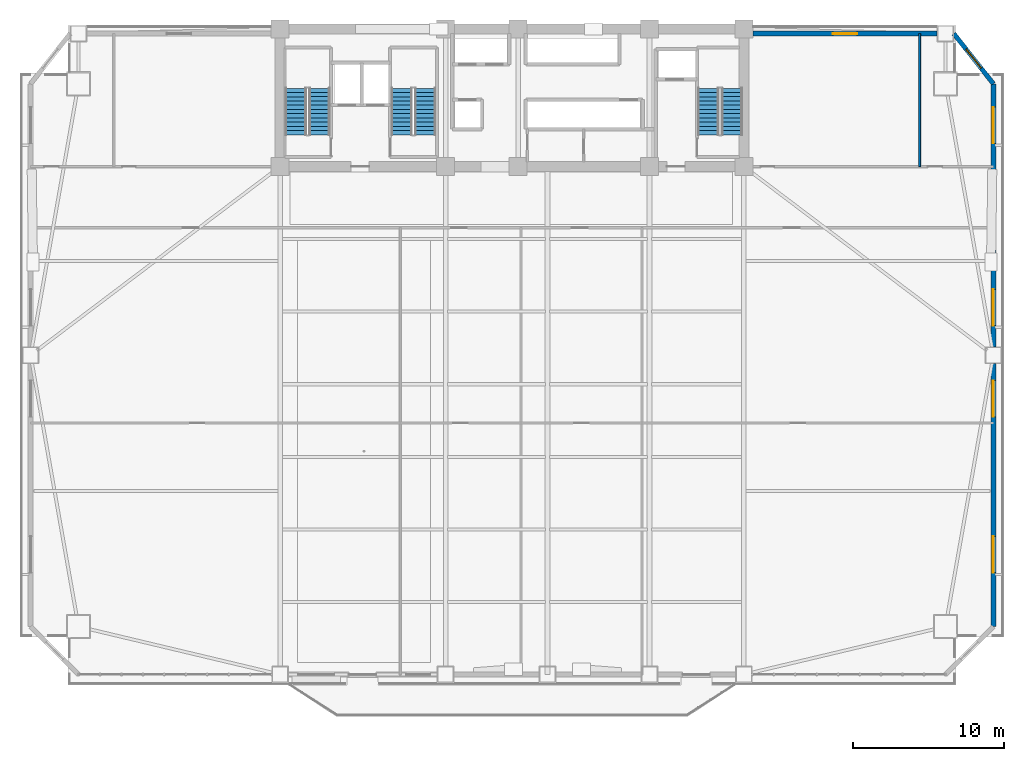
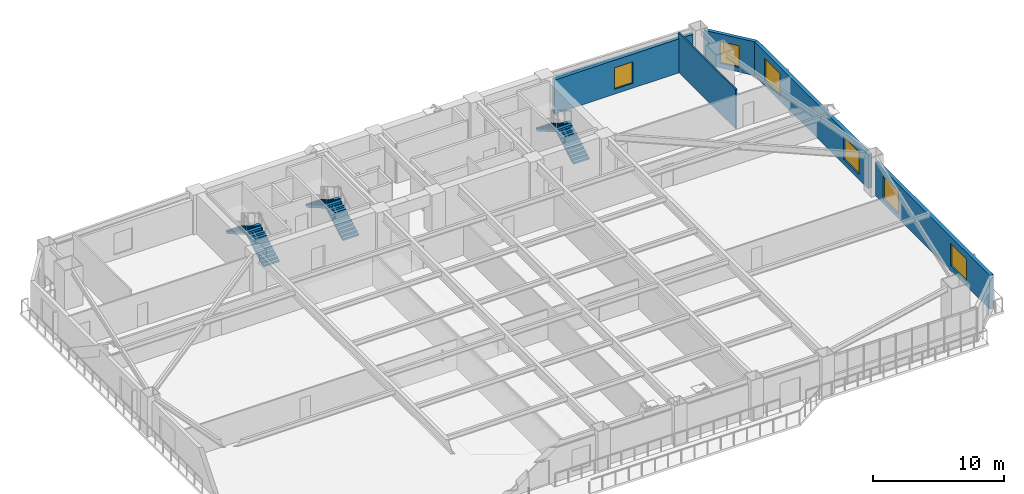
# One storey, part 11 of 17: 6 stair flights, 6 windows, 5 walls, 6 openings, 3 elements without a shape of their own.
"""IFC4 building model written with IfcOpenShell, lengths in metres."""

from ifc_helpers import new_model, si_unit, direction, frame, frame_2d, origin, place, context, subcontext, project, spatial, polyline, rectangle, outline, extrude, source, transform, mapped, material, layer, layer_set, type_object, element, fill, aggregate, save


model = new_model("IFC4")

# Units and contexts
model_context = context("Model", 3, precision=1e-05, world=origin(), true_north=direction((0.0, 1.0)))
body_context = subcontext(model_context, "Body", "Model", "MODEL_VIEW")
ifc_project = project(units=[si_unit("LENGTHUNIT", "METRE"), si_unit("AREAUNIT", "SQUARE_METRE"), si_unit("VOLUMEUNIT", "CUBIC_METRE"), si_unit("PLANEANGLEUNIT", "RADIAN"), si_unit("MASSUNIT", "GRAM", prefix="KILO")], contexts=[model_context])

# Site, building, storey
site_placement = place(None, origin())
site = spatial("IfcSite", under=ifc_project, at=site_placement, CompositionType="ELEMENT")
building_placement = place(site_placement, origin())
building = spatial("IfcBuilding", under=site, at=building_placement, Name="Giltprow Tower", CompositionType="ELEMENT")
storey_placement = place(building_placement, frame((0.0, 0.0, 41.0)))
storey = spatial("IfcBuildingStorey", under=building, at=storey_placement, Name="L10", CompositionType="ELEMENT", Elevation=41.0)

# Wall, opening, window
ifc_material_1 = material(Name="Precast concrete C40", Category="concrete")
ifc_layer_1 = layer(ifc_material_1, 0.300048828125, Name="Precast concrete C40")
ifc_layer_set_1 = layer_set([ifc_layer_1], Name="Precast concrete C40")
wall_type_1 = type_object("IfcWallType", Name="EW-NOTCH-CHAMFER-300", PredefinedType="SOLIDWALL", material=ifc_layer_set_1)
wall_1_placement = place(storey_placement, frame((67.06494140625, 42.926025390625, 0.0), z_axis=(0.0, 0.0, 1.0), x_axis=(-0.619619988795, 0.784901948963, 0.0)))
wall_1 = element("IfcWall", 1, at=wall_1_placement, inside=storey, type_object=wall_type_1, Name="L10 Corner Notch Wall NE", PredefinedType="SOLIDWALL", context=body_context, shape_type="SweptSolid", body=[
    extrude(rectangle(XDim=4.23486328125, YDim=0.300048828125, at=frame_2d((2.117431640625, 0.0))), origin(), (0.0, 0.0, 1.0), 3.159912109375),
])
opening_1_placement = place(wall_1_placement, frame((1.31689453125, 0.0, 0.449951171875)))
opening_1 = element("IfcOpeningElement", 2, at=opening_1_placement, cuts=wall_1, Name="Opening WN17", PredefinedType="OPENING", context=body_context, shape_type="SweptSolid", body=[
    extrude(rectangle(XDim=1.60009765625, YDim=2.0, at=frame_2d((0.800048828125, 1.0))), frame((0.0, 0.159912109375, 0.0), z_axis=(0.0, -1.0, 0.0), x_axis=(1.0, 0.0, 0.0)), (0.0, 0.0, 1.0), 0.320068359375),
])
ifc_material_2 = material(Name="Insulated glass", Category="glass")
window_type_1 = type_object("IfcWindowType", Name="WN-COR-1600x2000", PartitioningType="SINGLE_PANEL", PredefinedType="WINDOW", material=ifc_material_2)
shared_shape_1 = source(origin(), body_context, "Body", "SweptSolid", [
    extrude(rectangle(XDim=1.60009765625, YDim=2.0, at=frame_2d((0.800048828125, 1.0))), frame((0.0, 0.030029296875, 0.0), z_axis=(0.0, -1.0, 0.0), x_axis=(1.0, 0.0, 0.0)), (0.0, 0.0, 1.0), 0.06005859375),
])
window_1_placement = place(opening_1_placement, origin())
window_1 = element("IfcWindow", 3, at=window_1_placement, inside=storey, type_object=window_type_1, Name="L10 Corner Notch Window NE", OverallHeight=2.0, OverallWidth=1.60009765625, PartitioningType="SINGLE_PANEL", PredefinedType="WINDOW", context=body_context, shape_type="MappedRepresentation", body=[
    mapped(shared_shape_1, transform((0.0, 0.0, 0.0), x_axis=(1.0, 0.0, 0.0), y_axis=(0.0, 1.0, 0.0), z_axis=(0.0, 0.0, 1.0), scale=1.0)),
])
fill(opening_1, window_1)

# Wall, openings, windows
ifc_layer_2 = layer(ifc_material_1, 0.320068359375, Name="Precast concrete C40")
ifc_layer_set_2 = layer_set([ifc_layer_2], Name="Precast concrete C40")
wall_type_2 = type_object("IfcWallType", Name="EW-TOW-STONE-320", PredefinedType="SOLIDWALL", material=ifc_layer_set_2)
wall_2_placement = place(storey_placement, frame((67.06494140625, 7.0009765625, 0.0), z_axis=(0.0, 0.0, 1.0), x_axis=(0.0, 1.0, 0.0)))
wall_2 = element("IfcWall", 4, at=wall_2_placement, inside=storey, type_object=wall_type_2, Name="L10 E Wing Masonry Wall 1", PredefinedType="SOLIDWALL", context=body_context, shape_type="SweptSolid", body=[
    extrude(rectangle(XDim=17.412109375, YDim=0.320068359375, at=frame_2d((8.7060546875, 0.0))), origin(), (0.0, 0.0, 1.0), 3.159912109375),
])
opening_2_placement = place(wall_2_placement, frame((3.56689453125, 0.0, 0.449951171875)))
opening_2 = element("IfcOpeningElement", 5, at=opening_2_placement, cuts=wall_2, Name="Opening WN29", PredefinedType="OPENING", context=body_context, shape_type="SweptSolid", body=[
    extrude(rectangle(XDim=2.39990234375, YDim=2.10009765625, at=frame_2d((1.199951171875, 1.050048828125))), frame((0.0, 0.169921875, 0.0), z_axis=(0.0, -1.0, 0.0), x_axis=(1.0, 0.0, 0.0)), (0.0, 0.0, 1.0), 0.340087890625),
])
opening_3_placement = place(wall_2_placement, frame((13.875, 0.0, 0.449951171875)))
opening_3 = element("IfcOpeningElement", 6, at=opening_3_placement, cuts=wall_2, Name="Opening WN29", PredefinedType="OPENING", context=body_context, shape_type="SweptSolid", body=[
    extrude(rectangle(XDim=2.39990234375, YDim=2.10009765625, at=frame_2d((1.199951171875, 1.050048828125))), frame((0.0, 0.169921875, 0.0), z_axis=(0.0, -1.0, 0.0), x_axis=(1.0, 0.0, 0.0)), (0.0, 0.0, 1.0), 0.340087890625),
])
window_type_2 = type_object("IfcWindowType", Name="WN-OFF-2400x2100", PartitioningType="DOUBLE_PANEL_VERTICAL", PredefinedType="WINDOW", material=ifc_material_2)
shared_shape_2 = source(origin(), body_context, "Body", "SweptSolid", [
    extrude(rectangle(XDim=2.39990234375, YDim=2.10009765625, at=frame_2d((1.199951171875, 1.050048828125))), frame((0.0, 0.030029296875, 0.0), z_axis=(0.0, -1.0, 0.0), x_axis=(1.0, 0.0, 0.0)), (0.0, 0.0, 1.0), 0.06005859375),
])
window_2_placement = place(opening_2_placement, origin())
window_2 = element("IfcWindow", 7, at=window_2_placement, inside=storey, type_object=window_type_2, Name="L10 E Wing Window 1-1A", OverallHeight=2.10009765625, OverallWidth=2.39990234375, PartitioningType="SINGLE_PANEL", PredefinedType="WINDOW", context=body_context, shape_type="MappedRepresentation", body=[
    mapped(shared_shape_2, transform((0.0, 0.0, 0.0), x_axis=(1.0, 0.0, 0.0), y_axis=(0.0, 1.0, 0.0), z_axis=(0.0, 0.0, 1.0), scale=1.0)),
])
fill(opening_2, window_2)
window_3_placement = place(opening_3_placement, origin())
window_3 = element("IfcWindow", 8, at=window_3_placement, inside=storey, type_object=window_type_2, Name="L10 E Wing Window 1-1B", OverallHeight=2.10009765625, OverallWidth=2.39990234375, PartitioningType="SINGLE_PANEL", PredefinedType="WINDOW", context=body_context, shape_type="MappedRepresentation", body=[
    mapped(shared_shape_2, transform((0.0, 0.0, 0.0), x_axis=(1.0, 0.0, 0.0), y_axis=(0.0, 1.0, 0.0), z_axis=(0.0, 0.0, 1.0), scale=1.0)),
])
fill(opening_3, window_3)

wall_3_placement = place(storey_placement, frame((67.06494140625, 25.512939453125, 0.0), z_axis=(0.0, 0.0, 1.0), x_axis=(0.0, 1.0, 0.0)))
wall_3 = element("IfcWall", 9, at=wall_3_placement, inside=storey, type_object=wall_type_2, Name="L10 E Wing Masonry Wall 2", PredefinedType="SOLIDWALL", context=body_context, shape_type="SweptSolid", body=[
    extrude(rectangle(XDim=17.4130859375, YDim=0.320068359375, at=frame_2d((8.70654296875, 0.0))), origin(), (0.0, 0.0, 1.0), 3.159912109375),
])
opening_4_placement = place(wall_3_placement, frame((1.406982421875, 0.0, 0.449951171875)))
opening_4 = element("IfcOpeningElement", 10, at=opening_4_placement, cuts=wall_3, Name="Opening WN29", PredefinedType="OPENING", context=body_context, shape_type="SweptSolid", body=[
    extrude(rectangle(XDim=2.39990234375, YDim=2.10009765625, at=frame_2d((1.199951171875, 1.050048828125))), frame((0.0, 0.169921875, 0.0), z_axis=(0.0, -1.0, 0.0), x_axis=(1.0, 0.0, 0.0)), (0.0, 0.0, 1.0), 0.340087890625),
])
opening_5_placement = place(wall_3_placement, frame((13.462890625, 0.0, 0.449951171875)))
opening_5 = element("IfcOpeningElement", 11, at=opening_5_placement, cuts=wall_3, Name="Opening WN29", PredefinedType="OPENING", context=body_context, shape_type="SweptSolid", body=[
    extrude(rectangle(XDim=2.39990234375, YDim=2.10009765625, at=frame_2d((1.199951171875, 1.050048828125))), frame((0.0, 0.169921875, 0.0), z_axis=(0.0, -1.0, 0.0), x_axis=(1.0, 0.0, 0.0)), (0.0, 0.0, 1.0), 0.340087890625),
])
window_4_placement = place(opening_4_placement, origin())
window_4 = element("IfcWindow", 12, at=window_4_placement, inside=storey, type_object=window_type_2, Name="L10 E Wing Window 2-1", OverallHeight=2.10009765625, OverallWidth=2.39990234375, PartitioningType="SINGLE_PANEL", PredefinedType="WINDOW", context=body_context, shape_type="MappedRepresentation", body=[
    mapped(shared_shape_2, transform((0.0, 0.0, 0.0), x_axis=(1.0, 0.0, 0.0), y_axis=(0.0, 1.0, 0.0), z_axis=(0.0, 0.0, 1.0), scale=1.0)),
])
fill(opening_4, window_4)
window_5_placement = place(opening_5_placement, origin())
window_5 = element("IfcWindow", 13, at=window_5_placement, inside=storey, type_object=window_type_2, Name="L10 E Wing Window 2-2", OverallHeight=2.10009765625, OverallWidth=2.39990234375, PartitioningType="SINGLE_PANEL", PredefinedType="WINDOW", context=body_context, shape_type="MappedRepresentation", body=[
    mapped(shared_shape_2, transform((0.0, 0.0, 0.0), x_axis=(1.0, 0.0, 0.0), y_axis=(0.0, 1.0, 0.0), z_axis=(0.0, 0.0, 1.0), scale=1.0)),
])
fill(opening_5, window_5)

# Wall, opening, window
wall_4_placement = place(storey_placement, frame((51.14990234375, 46.25, 0.0), z_axis=(0.0, 0.0, 1.0), x_axis=(1.0, 0.0, 0.0)))
wall_4 = element("IfcWall", 14, at=wall_4_placement, inside=storey, type_object=wall_type_2, Name="L10 North-East Wing Wall", PredefinedType="SOLIDWALL", context=body_context, shape_type="SweptSolid", body=[
    extrude(rectangle(XDim=12.191162109375, YDim=0.320068359375, at=frame_2d((6.095703125, 0.0))), origin(), (0.0, 0.0, 1.0), 3.159912109375),
])
opening_6_placement = place(wall_4_placement, frame((5.2958984375, 0.0, 0.449951171875)))
opening_6 = element("IfcOpeningElement", 15, at=opening_6_placement, cuts=wall_4, Name="Opening WN17", PredefinedType="OPENING", context=body_context, shape_type="SweptSolid", body=[
    extrude(rectangle(XDim=1.60009765625, YDim=2.0, at=frame_2d((0.800048828125, 1.0))), frame((0.0, 0.169921875, 0.0), z_axis=(0.0, -1.0, 0.0), x_axis=(1.0, 0.0, 0.0)), (0.0, 0.0, 1.0), 0.340087890625),
])
window_6_placement = place(opening_6_placement, origin())
window_6 = element("IfcWindow", 16, at=window_6_placement, inside=storey, type_object=window_type_1, Name="L10 North-East Window", OverallHeight=2.0, OverallWidth=1.60009765625, PartitioningType="SINGLE_PANEL", PredefinedType="WINDOW", context=body_context, shape_type="MappedRepresentation", body=[
    mapped(shared_shape_1, transform((0.0, 0.0, 0.0), x_axis=(1.0, 0.0, 0.0), y_axis=(0.0, 1.0, 0.0), z_axis=(0.0, 0.0, 1.0), scale=1.0)),
])
fill(opening_6, window_6)

# Wall
ifc_material_3 = material(Name="Concrete C30", Category="concrete")
ifc_layer_3 = layer(ifc_material_3, 0.1298828125, Name="Concrete C30")
ifc_layer_set_3 = layer_set([ifc_layer_3], Name="Concrete C30")
wall_type_3 = type_object("IfcWallType", Name="IW-WET-130", PredefinedType="PARTITIONING", material=ifc_layer_set_3)
wall_5_placement = place(storey_placement, frame((62.179931640625, 37.449951171875, 0.0), z_axis=(0.0, 0.0, 1.0), x_axis=(0.0, 1.0, 0.0)))
element("IfcWall", 17, at=wall_5_placement, inside=storey, type_object=wall_type_3, Name="L10 NE Wing Divider", PredefinedType="PARTITIONING", context=body_context, shape_type="SweptSolid", body=[
    extrude(rectangle(XDim=8.800048828125, YDim=0.1298828125, at=frame_2d((4.39990234375, 0.0))), origin(), (0.0, 0.0, 1.0), 3.679931640625),
])

# Stair, stair flights
ifc_material_4 = material(Name="Concrete C40", Category="concrete")
stair_type_1 = type_object("IfcStairType", Name="STR-ST-1", PredefinedType="HALF_TURN_STAIR", material=ifc_material_4)
stair_1_placement = place(storey_placement, origin())
stair_1 = element("IfcStair", 18, at=stair_1_placement, inside=storey, type_object=stair_type_1, Name="L10 Core Exit Stair ST-1", PredefinedType="HALF_TURN_STAIR")
stair_flight_type_1 = type_object("IfcStairFlightType", Name="SFL-ST-1", PredefinedType="STRAIGHT", material=ifc_material_4)
stair_flight_1_placement = place(storey_placement, frame((22.4599609375, 39.550048828125, 0.0), z_axis=(0.0, 0.0, 1.0), x_axis=(0.0, 1.0, 0.0)))
stair_flight_1 = element("IfcStairFlight", 19, at=stair_flight_1_placement, type_object=stair_flight_type_1, Name="ST-1 flight 1", NumberOfRisers=12, NumberOfTreads=11, PredefinedType="STRAIGHT", RiserHeight=0.1625, TreadLength=0.28, context=body_context, shape_type="SweptSolid", body=[
    extrude(outline(polyline([(0.0, 0.0), (0.0, 0.16259765625), (0.280029296875, 0.16259765625), (0.280029296875, 0.324951171875), (0.56005859375, 0.324951171875), (0.56005859375, 0.487548828125), (0.840087890625, 0.487548828125), (0.840087890625, 0.64990234375), (1.1201171875, 0.64990234375), (1.1201171875, 0.8125), (1.39990234375, 0.8125), (1.39990234375, 0.97509765625), (1.679931640625, 0.97509765625), (1.679931640625, 1.137451171875), (1.9599609375, 1.137451171875), (1.9599609375, 1.300048828125), (2.239990234375, 1.300048828125), (2.239990234375, 1.46240234375), (2.52001953125, 1.46240234375), (2.52001953125, 1.625), (2.800048828125, 1.625), (2.800048828125, 1.78759765625), (3.080078125, 1.78759765625), (3.080078125, 1.949951171875), (3.080078125, 1.6142578125), (0.298583984375, 0.0), (0.0, 0.0)])), frame((0.0, 0.699951171875, 0.0), z_axis=(0.0, -1.0, 0.0), x_axis=(1.0, 0.0, 0.0)), (0.0, 0.0, 1.0), 1.39990234375),
])
stair_flight_2_placement = place(storey_placement, frame((20.89990234375, 42.6298828125, 1.949951171875), z_axis=(0.0, 0.0, 1.0), x_axis=(0.0, -1.0, 0.0)))
stair_flight_2 = element("IfcStairFlight", 20, at=stair_flight_2_placement, type_object=stair_flight_type_1, Name="ST-1 flight 2", NumberOfRisers=12, NumberOfTreads=11, PredefinedType="STRAIGHT", RiserHeight=0.1625, TreadLength=0.28, context=body_context, shape_type="SweptSolid", body=[
    extrude(outline(polyline([(0.0, 0.0), (0.0, 0.16259765625), (0.280029296875, 0.16259765625), (0.280029296875, 0.324951171875), (0.56005859375, 0.324951171875), (0.56005859375, 0.487548828125), (0.840087890625, 0.487548828125), (0.840087890625, 0.64990234375), (1.1201171875, 0.64990234375), (1.1201171875, 0.8125), (1.39990234375, 0.8125), (1.39990234375, 0.97509765625), (1.679931640625, 0.97509765625), (1.679931640625, 1.137451171875), (1.9599609375, 1.137451171875), (1.9599609375, 1.300048828125), (2.239990234375, 1.300048828125), (2.239990234375, 1.46240234375), (2.52001953125, 1.46240234375), (2.52001953125, 1.625), (2.800048828125, 1.625), (2.800048828125, 1.78759765625), (3.080078125, 1.78759765625), (3.080078125, 1.949951171875), (3.080078125, 1.6142578125), (0.298583984375, 0.0), (0.0, 0.0)])), frame((0.0, 0.699951171875, 0.0), z_axis=(0.0, -1.0, 0.0), x_axis=(1.0, 0.0, 0.0)), (0.0, 0.0, 1.0), 1.39990234375),
])
aggregate(stair_1, [stair_flight_1, stair_flight_2])

stair_type_2 = type_object("IfcStairType", Name="STR-ST-2", PredefinedType="HALF_TURN_STAIR", material=ifc_material_4)
stair_2_placement = place(storey_placement, origin())
stair_2 = element("IfcStair", 21, at=stair_2_placement, inside=storey, type_object=stair_type_2, Name="L10 Core Exit Stair ST-2", PredefinedType="HALF_TURN_STAIR")
stair_flight_type_2 = type_object("IfcStairFlightType", Name="SFL-ST-2", PredefinedType="STRAIGHT", material=ifc_material_4)
stair_flight_3_placement = place(storey_placement, frame((29.4599609375, 39.550048828125, 0.0), z_axis=(0.0, 0.0, 1.0), x_axis=(0.0, 1.0, 0.0)))
stair_flight_3 = element("IfcStairFlight", 22, at=stair_flight_3_placement, type_object=stair_flight_type_2, Name="ST-2 flight 1", NumberOfRisers=12, NumberOfTreads=11, PredefinedType="STRAIGHT", RiserHeight=0.1625, TreadLength=0.28, context=body_context, shape_type="SweptSolid", body=[
    extrude(outline(polyline([(0.0, 0.0), (0.0, 0.16259765625), (0.280029296875, 0.16259765625), (0.280029296875, 0.324951171875), (0.56005859375, 0.324951171875), (0.56005859375, 0.487548828125), (0.840087890625, 0.487548828125), (0.840087890625, 0.64990234375), (1.1201171875, 0.64990234375), (1.1201171875, 0.8125), (1.39990234375, 0.8125), (1.39990234375, 0.97509765625), (1.679931640625, 0.97509765625), (1.679931640625, 1.137451171875), (1.9599609375, 1.137451171875), (1.9599609375, 1.300048828125), (2.239990234375, 1.300048828125), (2.239990234375, 1.46240234375), (2.52001953125, 1.46240234375), (2.52001953125, 1.625), (2.800048828125, 1.625), (2.800048828125, 1.78759765625), (3.080078125, 1.78759765625), (3.080078125, 1.949951171875), (3.080078125, 1.6142578125), (0.298583984375, 0.0), (0.0, 0.0)])), frame((0.0, 0.699951171875, 0.0), z_axis=(0.0, -1.0, 0.0), x_axis=(1.0, 0.0, 0.0)), (0.0, 0.0, 1.0), 1.39990234375),
])
stair_flight_4_placement = place(storey_placement, frame((27.89990234375, 42.6298828125, 1.949951171875), z_axis=(0.0, 0.0, 1.0), x_axis=(0.0, -1.0, 0.0)))
stair_flight_4 = element("IfcStairFlight", 23, at=stair_flight_4_placement, type_object=stair_flight_type_2, Name="ST-2 flight 2", NumberOfRisers=12, NumberOfTreads=11, PredefinedType="STRAIGHT", RiserHeight=0.1625, TreadLength=0.28, context=body_context, shape_type="SweptSolid", body=[
    extrude(outline(polyline([(0.0, 0.0), (0.0, 0.16259765625), (0.280029296875, 0.16259765625), (0.280029296875, 0.324951171875), (0.56005859375, 0.324951171875), (0.56005859375, 0.487548828125), (0.840087890625, 0.487548828125), (0.840087890625, 0.64990234375), (1.1201171875, 0.64990234375), (1.1201171875, 0.8125), (1.39990234375, 0.8125), (1.39990234375, 0.97509765625), (1.679931640625, 0.97509765625), (1.679931640625, 1.137451171875), (1.9599609375, 1.137451171875), (1.9599609375, 1.300048828125), (2.239990234375, 1.300048828125), (2.239990234375, 1.46240234375), (2.52001953125, 1.46240234375), (2.52001953125, 1.625), (2.800048828125, 1.625), (2.800048828125, 1.78759765625), (3.080078125, 1.78759765625), (3.080078125, 1.949951171875), (3.080078125, 1.6142578125), (0.298583984375, 0.0), (0.0, 0.0)])), frame((0.0, 0.699951171875, 0.0), z_axis=(0.0, -1.0, 0.0), x_axis=(1.0, 0.0, 0.0)), (0.0, 0.0, 1.0), 1.39990234375),
])
aggregate(stair_2, [stair_flight_3, stair_flight_4])

stair_type_3 = type_object("IfcStairType", Name="STR-ST-3", PredefinedType="HALF_TURN_STAIR", material=ifc_material_4)
stair_3_placement = place(storey_placement, origin())
stair_3 = element("IfcStair", 24, at=stair_3_placement, inside=storey, type_object=stair_type_3, Name="L10 Core Exit Stair ST-3", PredefinedType="HALF_TURN_STAIR")
stair_flight_type_3 = type_object("IfcStairFlightType", Name="SFL-ST-3", PredefinedType="STRAIGHT", material=ifc_material_4)
stair_flight_5_placement = place(storey_placement, frame((49.760009765625, 39.550048828125, 0.0), z_axis=(0.0, 0.0, 1.0), x_axis=(0.0, 1.0, 0.0)))
stair_flight_5 = element("IfcStairFlight", 25, at=stair_flight_5_placement, type_object=stair_flight_type_3, Name="ST-3 flight 1", NumberOfRisers=12, NumberOfTreads=11, PredefinedType="STRAIGHT", RiserHeight=0.1625, TreadLength=0.28, context=body_context, shape_type="SweptSolid", body=[
    extrude(outline(polyline([(0.0, 0.0), (0.0, 0.16259765625), (0.280029296875, 0.16259765625), (0.280029296875, 0.324951171875), (0.56005859375, 0.324951171875), (0.56005859375, 0.487548828125), (0.840087890625, 0.487548828125), (0.840087890625, 0.64990234375), (1.1201171875, 0.64990234375), (1.1201171875, 0.8125), (1.39990234375, 0.8125), (1.39990234375, 0.97509765625), (1.679931640625, 0.97509765625), (1.679931640625, 1.137451171875), (1.9599609375, 1.137451171875), (1.9599609375, 1.300048828125), (2.239990234375, 1.300048828125), (2.239990234375, 1.46240234375), (2.52001953125, 1.46240234375), (2.52001953125, 1.625), (2.800048828125, 1.625), (2.800048828125, 1.78759765625), (3.080078125, 1.78759765625), (3.080078125, 1.949951171875), (3.080078125, 1.6142578125), (0.298583984375, 0.0), (0.0, 0.0)])), frame((0.0, 0.699951171875, 0.0), z_axis=(0.0, -1.0, 0.0), x_axis=(1.0, 0.0, 0.0)), (0.0, 0.0, 1.0), 1.39990234375),
])
stair_flight_6_placement = place(storey_placement, frame((48.199951171875, 42.6298828125, 1.949951171875), z_axis=(0.0, 0.0, 1.0), x_axis=(0.0, -1.0, 0.0)))
stair_flight_6 = element("IfcStairFlight", 26, at=stair_flight_6_placement, type_object=stair_flight_type_3, Name="ST-3 flight 2", NumberOfRisers=12, NumberOfTreads=11, PredefinedType="STRAIGHT", RiserHeight=0.1625, TreadLength=0.28, context=body_context, shape_type="SweptSolid", body=[
    extrude(outline(polyline([(0.0, 0.0), (0.0, 0.16259765625), (0.280029296875, 0.16259765625), (0.280029296875, 0.324951171875), (0.56005859375, 0.324951171875), (0.56005859375, 0.487548828125), (0.840087890625, 0.487548828125), (0.840087890625, 0.64990234375), (1.1201171875, 0.64990234375), (1.1201171875, 0.8125), (1.39990234375, 0.8125), (1.39990234375, 0.97509765625), (1.679931640625, 0.97509765625), (1.679931640625, 1.137451171875), (1.9599609375, 1.137451171875), (1.9599609375, 1.300048828125), (2.239990234375, 1.300048828125), (2.239990234375, 1.46240234375), (2.52001953125, 1.46240234375), (2.52001953125, 1.625), (2.800048828125, 1.625), (2.800048828125, 1.78759765625), (3.080078125, 1.78759765625), (3.080078125, 1.949951171875), (3.080078125, 1.6142578125), (0.298583984375, 0.0), (0.0, 0.0)])), frame((0.0, 0.699951171875, 0.0), z_axis=(0.0, -1.0, 0.0), x_axis=(1.0, 0.0, 0.0)), (0.0, 0.0, 1.0), 1.39990234375),
])
aggregate(stair_3, [stair_flight_5, stair_flight_6])

save(model, "model.ifc")
